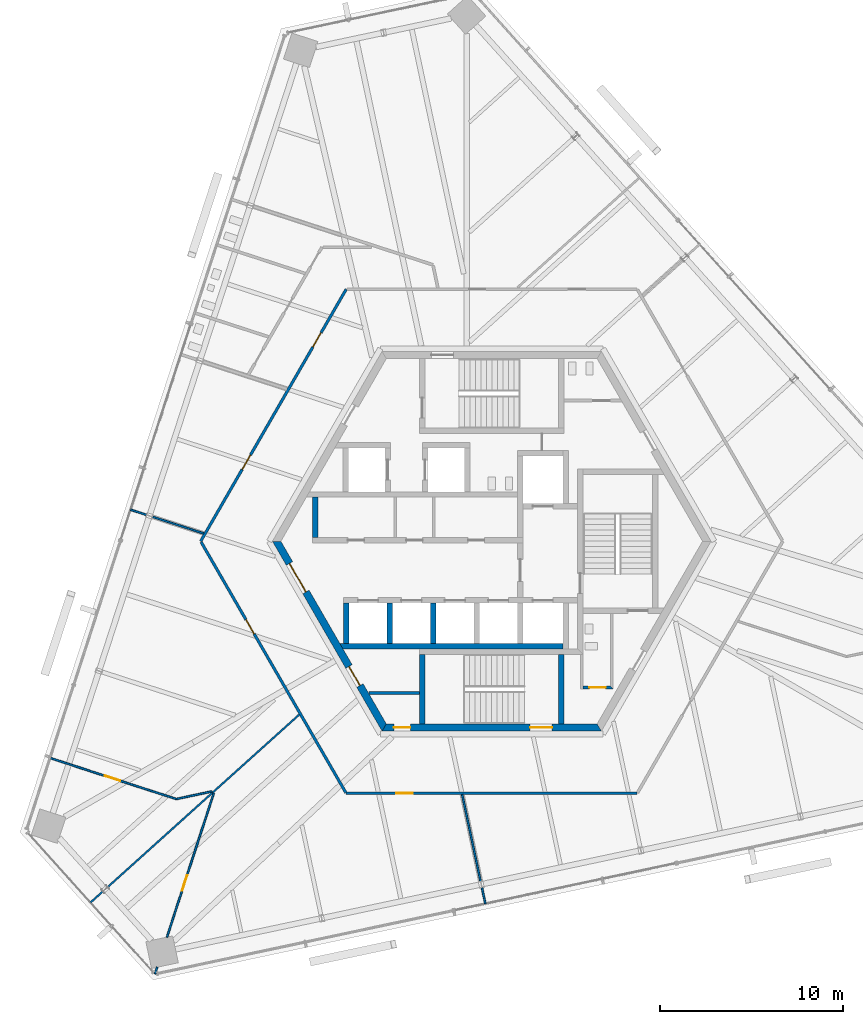
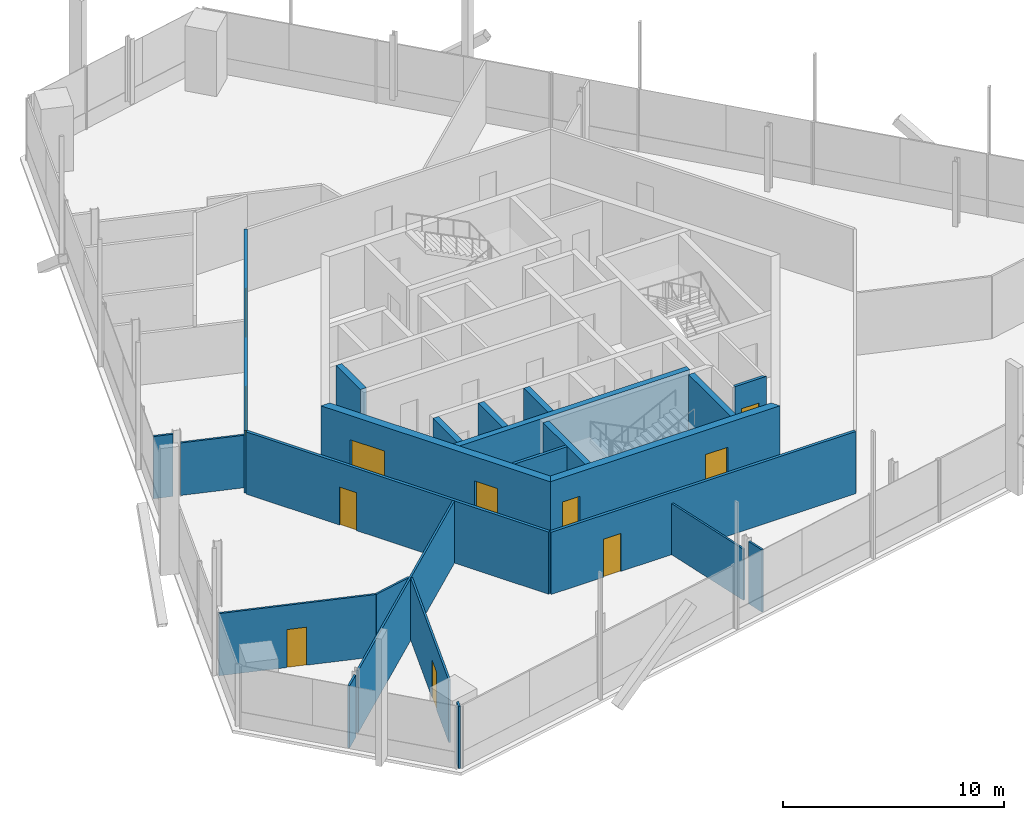
# One storey, part 9 of 16: 24 walls, 11 doors, 11 openings.
"""IFC4 building model written with IfcOpenShell, lengths in metres."""

from ifc_helpers import new_model, si_unit, direction, frame, frame_2d, origin, place, context, subcontext, project, spatial, polyline, rectangle, outline, extrude, source, transform, mapped, material, layer, layer_set, type_object, element, fill, save


model = new_model("IFC4")

# Units and contexts
model_context = context("Model", 3, precision=1e-05, world=origin(), true_north=direction((0.0, 1.0)))
body_context = subcontext(model_context, "Body", "Model", "MODEL_VIEW")
ifc_project = project(units=[si_unit("LENGTHUNIT", "METRE"), si_unit("AREAUNIT", "SQUARE_METRE"), si_unit("VOLUMEUNIT", "CUBIC_METRE"), si_unit("PLANEANGLEUNIT", "RADIAN"), si_unit("MASSUNIT", "GRAM", prefix="KILO")], contexts=[model_context])

# Site, building, storey
site_placement = place(None, origin())
site = spatial("IfcSite", under=ifc_project, at=site_placement, CompositionType="ELEMENT")
building_placement = place(site_placement, origin())
building = spatial("IfcBuilding", under=site, at=building_placement, Name="Triune Harvest Tower", CompositionType="ELEMENT")
storey_placement = place(building_placement, frame((0.0, 0.0, 266.699951171875)))
storey = spatial("IfcBuildingStorey", under=building, at=storey_placement, Name="L70", CompositionType="ELEMENT", Elevation=266.699951171875)

# Wall, opening, door
ifc_material_1 = material(Name="Gypsum board on steel studs", Category="steel")
ifc_layer_1 = layer(ifc_material_1, 0.10009765625)
ifc_layer_set_1 = layer_set([ifc_layer_1], Name="Gypsum board on steel studs")
wall_type_1 = type_object("IfcWallType", Name="Partition 100 mm", PredefinedType="PARTITIONING", material=ifc_layer_set_1)
wall_1_placement = place(storey_placement, frame((-24.177490234375, -11.85791015625, 0.0), z_axis=(0.0, 0.0, 1.0), x_axis=(0.951053312411, -0.309026854742, 0.0)))
wall_1 = element("IfcWall", 1, at=wall_1_placement, inside=storey, type_object=wall_type_1, Name="Partition L70 006", PredefinedType="PARTITIONING", context=body_context, shape_type="SweptSolid", body=[
    extrude(rectangle(XDim=7.271484375, YDim=0.10009765625, at=frame_2d((3.6357421875, 0.0))), origin(), (0.0, 0.0, 1.0), 3.43994140625),
])
opening_1_placement = place(wall_1_placement, frame((3.14990234375, 0.0, 0.0)))
opening_1 = element("IfcOpeningElement", 2, at=opening_1_placement, cuts=wall_1, Name="Opening L70-010", PredefinedType="OPENING", context=body_context, shape_type="SweptSolid", body=[
    extrude(rectangle(XDim=0.89990234375, YDim=2.10009765625, at=frame_2d((0.449951171875, 1.050048828125))), frame((0.0, 0.06005859375, 0.0), z_axis=(0.0, -1.0, 0.0), x_axis=(1.0, 0.0, 0.0)), (0.0, 0.0, 1.0), 0.1201171875),
])
ifc_material_2 = material(Name="Timber and steel door set", Category="steel")
door_type_1 = type_object("IfcDoorType", Name="Single leaf door right hand 900 x 2100", OperationType="SINGLE_SWING_RIGHT", PredefinedType="DOOR", material=ifc_material_2)
door_1_placement = place(opening_1_placement, origin())
door_1 = element("IfcDoor", 3, at=door_1_placement, inside=storey, type_object=door_type_1, Name="Door L70-010 Reception 70.10", OperationType="SINGLE_SWING_RIGHT", OverallHeight=2.10009765625, OverallWidth=0.89990234375, PredefinedType="DOOR", context=body_context, shape_type="SweptSolid", body=[
    extrude(rectangle(XDim=0.89990234375, YDim=2.10009765625, at=frame_2d((0.449951171875, 1.050048828125))), frame((0.0, 0.02490234375, 0.0), z_axis=(0.0, -1.0, 0.0), x_axis=(1.0, 0.0, 0.0)), (0.0, 0.0, 1.0), 0.050048828125),
])
fill(opening_1, door_1)

# Wall
wall_2_placement = place(storey_placement, frame((-17.261962890625, -14.10498046875, 0.0), z_axis=(0.0, 0.0, 1.0), x_axis=(0.97814455802, 0.207926005148, 0.0)))
element("IfcWall", 4, at=wall_2_placement, inside=storey, type_object=wall_type_1, Name="Partition L70 020", PredefinedType="PARTITIONING", context=body_context, shape_type="SweptSolid", body=[
    extrude(rectangle(XDim=1.997314453125, YDim=0.10009765625, at=frame_2d((0.99853515625, 0.0))), origin(), (0.0, 0.0, 1.0), 3.43994140625),
])

# Wall, openings, doors
ifc_material_3 = material(Name="Concrete 70 MPa", Category="concrete")
ifc_layer_2 = layer(ifc_material_3, 0.39990234375)
ifc_layer_set_2 = layer_set([ifc_layer_2], Name="Concrete 70 MPa")
wall_type_2 = type_object("IfcWallType", Name="Core wall 400", PredefinedType="SHEAR", material=ifc_layer_set_2)
shared_shape_1 = source(origin(), body_context, "Body", "SweptSolid", [
    extrude(outline(polyline([(-0.115478515625, -0.199951171875), (11.884521484375, -0.199951171875), (11.653564453125, 0.199951171875), (0.115478515625, 0.199951171875), (-0.115478515625, -0.199951171875)])), origin(), (0.0, 0.0, 1.0), 3.43994140625),
])
wall_3_placement = place(storey_placement, frame((-11.76904296875, 0.0, 0.0), z_axis=(0.0, 0.0, 1.0), x_axis=(0.499996592174, -0.866027371285, 0.0)))
wall_3 = element("IfcWall", 5, at=wall_3_placement, inside=storey, type_object=wall_type_2, Name="Hexagon 3 wall", PredefinedType="SHEAR", context=body_context, shape_type="MappedRepresentation", body=[
    mapped(shared_shape_1, transform((0.0, 0.0, 0.0), scale=1.0)),
])
opening_2_placement = place(wall_3_placement, frame((1.404541015625, 0.0, 0.0)))
opening_2 = element("IfcOpeningElement", 6, at=opening_2_placement, cuts=wall_3, Name="Opening CD-LS", PredefinedType="OPENING", context=body_context, shape_type="SweptSolid", body=[
    extrude(rectangle(XDim=1.800048828125, YDim=2.10009765625, at=frame_2d((0.89990234375, 1.050048828125))), frame((0.0, 0.2099609375, 0.0), z_axis=(0.0, -1.0, 0.0), x_axis=(1.0, 0.0, 0.0)), (0.0, 0.0, 1.0), 0.419921875),
])
opening_3_placement = place(wall_3_placement, frame((7.91455078125, 0.0, 0.0)))
opening_3 = element("IfcOpeningElement", 7, at=opening_3_placement, cuts=wall_3, Name="Opening CD-SWP", PredefinedType="OPENING", context=body_context, shape_type="SweptSolid", body=[
    extrude(rectangle(XDim=1.199951171875, YDim=2.10009765625, at=frame_2d((0.60009765625, 1.050048828125))), frame((0.0, 0.2099609375, 0.0), z_axis=(0.0, -1.0, 0.0), x_axis=(1.0, 0.0, 0.0)), (0.0, 0.0, 1.0), 0.419921875),
])
ifc_material_4 = material(Name="Steel S235", Category="steel")
door_type_2 = type_object("IfcDoorType", Name="Lobby door 1800 FD120", OperationType="DOUBLE_DOOR_DOUBLE_SWING", PredefinedType="DOOR", material=ifc_material_4)
door_2_placement = place(opening_2_placement, frame((1.800048828125, 0.0, 0.0), z_axis=(0.0, 0.0, 1.0), x_axis=(-1.0, 0.0, 0.0)))
door_2 = element("IfcDoor", 8, at=door_2_placement, inside=storey, type_object=door_type_2, Name="Door CD-LS", OperationType="DOUBLE_DOOR_DOUBLE_SWING", OverallHeight=2.10009765625, OverallWidth=1.800048828125, PredefinedType="DOOR", context=body_context, shape_type="SweptSolid", body=[
    extrude(rectangle(XDim=1.800048828125, YDim=2.10009765625, at=frame_2d((0.89990234375, 1.050048828125))), frame((0.0, 0.02490234375, 0.0), z_axis=(0.0, -1.0, 0.0), x_axis=(1.0, 0.0, 0.0)), (0.0, 0.0, 1.0), 0.050048828125),
])
fill(opening_2, door_2)
ifc_material_5 = material(Name="Steel S235", Category="steel")
door_type_3 = type_object("IfcDoorType", Name="Service door 1200 FD120", OperationType="SINGLE_SWING_LEFT", PredefinedType="DOOR", material=ifc_material_5)
door_3_placement = place(opening_3_placement, frame((1.199951171875, 0.0, 0.0), z_axis=(0.0, 0.0, 1.0), x_axis=(-1.0, 0.0, 0.0)))
door_3 = element("IfcDoor", 9, at=door_3_placement, inside=storey, type_object=door_type_3, Name="Door CD-SWP", OperationType="SINGLE_SWING_RIGHT", OverallHeight=2.10009765625, OverallWidth=1.199951171875, PredefinedType="DOOR", context=body_context, shape_type="SweptSolid", body=[
    extrude(rectangle(XDim=1.199951171875, YDim=2.10009765625, at=frame_2d((0.60009765625, 1.050048828125))), frame((0.0, 0.02490234375, 0.0), z_axis=(0.0, -1.0, 0.0), x_axis=(1.0, 0.0, 0.0)), (0.0, 0.0, 1.0), 0.050048828125),
])
fill(opening_3, door_3)

wall_4_placement = place(storey_placement, frame((-5.884521484375, -10.1923828125, 0.0), z_axis=(0.0, 0.0, 1.0), x_axis=(1.0, 0.0, 0.0)))
wall_4 = element("IfcWall", 10, at=wall_4_placement, inside=storey, type_object=wall_type_2, Name="Hexagon 4 wall", PredefinedType="SHEAR", context=body_context, shape_type="MappedRepresentation", body=[
    mapped(shared_shape_1, transform((0.0, 0.0, 0.0), scale=1.0)),
])
opening_4_placement = place(wall_4_placement, frame((7.984619140625, 0.0, 0.0)))
opening_4 = element("IfcOpeningElement", 11, at=opening_4_placement, cuts=wall_4, Name="Opening CD-S2P", PredefinedType="OPENING", context=body_context, shape_type="SweptSolid", body=[
    extrude(rectangle(XDim=1.199951171875, YDim=2.10009765625, at=frame_2d((0.60009765625, 1.050048828125))), frame((0.0, 0.2099609375, 0.0), z_axis=(0.0, -1.0, 0.0), x_axis=(1.0, 0.0, 0.0)), (0.0, 0.0, 1.0), 0.419921875),
])
opening_5_placement = place(wall_4_placement, frame((0.534423828125, 0.0, 0.0)))
opening_5 = element("IfcOpeningElement", 12, at=opening_5_placement, cuts=wall_4, Name="Opening CD-SWS", PredefinedType="OPENING", context=body_context, shape_type="SweptSolid", body=[
    extrude(rectangle(XDim=0.89990234375, YDim=2.10009765625, at=frame_2d((0.449951171875, 1.050048828125))), frame((0.0, 0.2099609375, 0.0), z_axis=(0.0, -1.0, 0.0), x_axis=(1.0, 0.0, 0.0)), (0.0, 0.0, 1.0), 0.419921875),
])
ifc_material_6 = material(Name="Steel S235", Category="steel")
door_type_4 = type_object("IfcDoorType", Name="Riser door 900 FD120", OperationType="SINGLE_SWING_LEFT", PredefinedType="DOOR", material=ifc_material_6)
door_4_placement = place(opening_5_placement, frame((0.89990234375, 0.0, 0.0), z_axis=(0.0, 0.0, 1.0), x_axis=(-1.0, 0.0, 0.0)))
door_4 = element("IfcDoor", 13, at=door_4_placement, inside=storey, type_object=door_type_4, Name="Door CD-SWS", OperationType="SINGLE_SWING_RIGHT", OverallHeight=2.10009765625, OverallWidth=0.89990234375, PredefinedType="DOOR", context=body_context, shape_type="SweptSolid", body=[
    extrude(rectangle(XDim=0.89990234375, YDim=2.10009765625, at=frame_2d((0.449951171875, 1.050048828125))), frame((0.0, 0.02490234375, 0.0), z_axis=(0.0, -1.0, 0.0), x_axis=(1.0, 0.0, 0.0)), (0.0, 0.0, 1.0), 0.050048828125),
])
fill(opening_5, door_4)
ifc_material_7 = material(Name="Steel S235", Category="steel")
door_type_5 = type_object("IfcDoorType", Name="Stair door 1200 FD120", OperationType="SINGLE_SWING_LEFT", PredefinedType="DOOR", material=ifc_material_7)
door_5_placement = place(opening_4_placement, frame((1.199951171875, 0.0, 0.0), z_axis=(0.0, 0.0, 1.0), x_axis=(-1.0, 0.0, 0.0)))
door_5 = element("IfcDoor", 14, at=door_5_placement, inside=storey, type_object=door_type_5, Name="Door CD-S2P", OperationType="SINGLE_SWING_RIGHT", OverallHeight=2.10009765625, OverallWidth=1.199951171875, PredefinedType="DOOR", context=body_context, shape_type="SweptSolid", body=[
    extrude(rectangle(XDim=1.199951171875, YDim=2.10009765625, at=frame_2d((0.60009765625, 1.050048828125))), frame((0.0, 0.02490234375, 0.0), z_axis=(0.0, -1.0, 0.0), x_axis=(1.0, 0.0, 0.0)), (0.0, 0.0, 1.0), 0.050048828125),
])
fill(opening_4, door_5)

# Walls
ifc_material_8 = material(Name="Concrete 70 MPa", Category="concrete")
ifc_layer_3 = layer(ifc_material_8, 0.300048828125)
ifc_layer_set_3 = layer_set([ifc_layer_3], Name="Concrete 70 MPa")
wall_type_3 = type_object("IfcWallType", Name="Core wall 300", PredefinedType="SHEAR", material=ifc_layer_set_3)
shared_shape_2 = source(origin(), body_context, "Body", "SweptSolid", [
    extrude(outline(polyline([(12.0, -0.14990234375), (-0.039794921875, -0.14990234375), (-0.212890625, 0.14990234375), (12.0, 0.14990234375), (12.0, -0.14990234375)])), origin(), (0.0, 0.0, 1.0), 3.43994140625),
])
wall_5_placement = place(storey_placement, frame((-8.10009765625, -5.739990234375, 0.0), z_axis=(0.0, 0.0, 1.0), x_axis=(1.0, 0.0, 0.0)))
element("IfcWall", 15, at=wall_5_placement, inside=storey, type_object=wall_type_3, Name="South back wall", PredefinedType="SHEAR", context=body_context, shape_type="MappedRepresentation", body=[
    mapped(shared_shape_2, transform((0.0, 0.0, 0.0), scale=1.0)),
])
shared_shape_3 = source(origin(), body_context, "Body", "SweptSolid", [
    extrude(rectangle(XDim=2.2001953125, YDim=0.300048828125, at=frame_2d((1.10009765625, 0.0))), origin(), (0.0, 0.0, 1.0), 3.43994140625),
])
for number, where, z_axis, x_axis, name in (
    (16, (-7.949951171875, -5.590087890625, 0.0), (0.0, 0.0, 1.0), (0.0, 1.0, 0.0), "South end west wall"),
    (17, (-5.574951171875, -5.590087890625, 0.0), (0.0, 0.0, 1.0), (0.0, 1.0, 0.0), "South cross 1 wall"),
    (18, (-3.199951171875, -5.590087890625, 0.0), (0.0, 0.0, 1.0), (0.0, 1.0, 0.0), "South cross 2 wall"),
):
    element("IfcWall", number, at=place(storey_placement, frame(where, z_axis=z_axis, x_axis=x_axis)), inside=storey, type_object=wall_type_3, Name=name, PredefinedType="SHEAR", context=body_context, shape_type="MappedRepresentation", body=[
        mapped(shared_shape_3, transform((0.0, 0.0, 0.0), scale=1.0)),
    ])
shared_shape_4 = source(origin(), body_context, "Body", "SweptSolid", [
    extrude(rectangle(XDim=2.199951171875, YDim=0.300048828125, at=frame_2d((1.10009765625, 0.0))), origin(), (0.0, 0.0, 1.0), 3.43994140625),
])
wall_6_placement = place(storey_placement, frame((-9.64990234375, 0.2099609375, 0.0), z_axis=(0.0, 0.0, 1.0), x_axis=(0.0, 1.0, 0.0)))
element("IfcWall", 19, at=wall_6_placement, inside=storey, type_object=wall_type_3, Name="North end west wall", PredefinedType="SHEAR", context=body_context, shape_type="MappedRepresentation", body=[
    mapped(shared_shape_4, transform((0.0, 0.0, 0.0), scale=1.0)),
])
shared_shape_5 = source(origin(), body_context, "Body", "SweptSolid", [
    extrude(outline(polyline([(3.800048828125, -0.14990234375), (-0.00439453125, -0.14990234375), (-0.00439453125, 0.14990234375), (3.800048828125, 0.14990234375), (3.800048828125, -0.14990234375)])), origin(), (0.0, 0.0, 1.0), 3.43994140625),
])
for number, where, z_axis, x_axis, name in (
    (20, (-3.800048828125, -9.989990234375, 0.0), (0.0, 0.0, 1.0), (0.0, 1.0, 0.0), "Stair s west wall"),
    (21, (3.800048828125, -9.989990234375, 0.0), (0.0, 0.0, 1.0), (0.0, 1.0, 0.0), "Stair s east wall"),
):
    element("IfcWall", number, at=place(storey_placement, frame(where, z_axis=z_axis, x_axis=x_axis)), inside=storey, type_object=wall_type_3, Name=name, PredefinedType="SHEAR", context=body_context, shape_type="MappedRepresentation", body=[
        mapped(shared_shape_5, transform((0.0, 0.0, 0.0), scale=1.0)),
    ])

# Wall, opening, door
ifc_material_9 = material(Name="Concrete masonry unit", Category="masonry")
ifc_layer_4 = layer(ifc_material_9, 0.14990234375)
ifc_layer_set_4 = layer_set([ifc_layer_4], Name="Concrete masonry unit")
wall_type_4 = type_object("IfcWallType", Name="Block partition 150 unrated", PredefinedType="PARTITIONING", material=ifc_layer_set_4)
shared_shape_6 = source(origin(), body_context, "Body", "SweptSolid", [
    extrude(outline(polyline([(0.0, -0.074951171875), (1.64990234375, -0.074951171875), (1.5, 0.074951171875), (0.0, 0.074951171875), (0.0, -0.074951171875)])), origin(), (0.0, 0.0, 1.0), 3.43994140625),
])
wall_7_placement = place(storey_placement, frame((5.0, -8.0, 0.0), z_axis=(0.0, 0.0, 1.0), x_axis=(1.0, 0.0, 0.0)))
wall_7 = element("IfcWall", 22, at=wall_7_placement, inside=storey, type_object=wall_type_4, Name="Wc acc south wall", PredefinedType="PARTITIONING", context=body_context, shape_type="MappedRepresentation", body=[
    mapped(shared_shape_6, transform((0.0, 0.0, 0.0), scale=1.0)),
])
opening_6_placement = place(wall_7_placement, frame((0.33740234375, 0.0, 0.0)))
opening_6 = element("IfcOpeningElement", 23, at=opening_6_placement, cuts=wall_7, Name="Opening CD-WA", PredefinedType="OPENING", context=body_context, shape_type="SweptSolid", body=[
    extrude(rectangle(XDim=0.89990234375, YDim=2.10009765625, at=frame_2d((0.449951171875, 1.050048828125))), frame((0.0, 0.0849609375, 0.0), z_axis=(0.0, -1.0, 0.0), x_axis=(1.0, 0.0, 0.0)), (0.0, 0.0, 1.0), 0.169921875),
])
ifc_material_10 = material(Name="Timber C24", Category="wood")
door_type_6 = type_object("IfcDoorType", Name="WC door 900", OperationType="SINGLE_SWING_LEFT", PredefinedType="DOOR", material=ifc_material_10)
door_6_placement = place(opening_6_placement, origin())
door_6 = element("IfcDoor", 24, at=door_6_placement, inside=storey, type_object=door_type_6, Name="Door CD-WA", OperationType="SINGLE_SWING_LEFT", OverallHeight=2.10009765625, OverallWidth=0.89990234375, PredefinedType="DOOR", context=body_context, shape_type="SweptSolid", body=[
    extrude(rectangle(XDim=0.89990234375, YDim=2.10009765625, at=frame_2d((0.449951171875, 1.050048828125))), frame((0.0, 0.02490234375, 0.0), z_axis=(0.0, -1.0, 0.0), x_axis=(1.0, 0.0, 0.0)), (0.0, 0.0, 1.0), 0.050048828125),
])
fill(opening_6, door_6)

# Walls
ifc_material_11 = material(Name="Concrete masonry unit", Category="masonry")
ifc_layer_5 = layer(ifc_material_11, 0.14990234375)
ifc_layer_set_5 = layer_set([ifc_layer_5], Name="Concrete masonry unit")
wall_type_5 = type_object("IfcWallType", Name="Block partition 150", PredefinedType="PARTITIONING", material=ifc_layer_set_5)
shared_shape_7 = source(origin(), body_context, "Body", "SweptSolid", [
    extrude(rectangle(XDim=2.777099609375, YDim=0.14990234375, at=frame_2d((1.388671875, 0.0))), origin(), (0.0, 0.0, 1.0), 3.43994140625),
])
wall_8_placement = place(storey_placement, frame((-6.72705078125, -8.300048828125, 0.0), z_axis=(0.0, 0.0, 1.0), x_axis=(1.0, 0.0, 0.0)))
element("IfcWall", 25, at=wall_8_placement, inside=storey, type_object=wall_type_5, Name="Sw part wall", PredefinedType="PARTITIONING", context=body_context, shape_type="MappedRepresentation", body=[
    mapped(shared_shape_7, transform((0.0, 0.0, 0.0), scale=1.0)),
])
shared_shape_8 = source(origin(), body_context, "Body", "SweptSolid", [
    extrude(rectangle(XDim=4.852294921875, YDim=0.10009765625, at=frame_2d((2.42626953125, 0.0))), origin(), (0.0, 0.0, 1.0), 2.827880859375),
])
wall_9_placement = place(storey_placement, frame((-1.617431640625, -13.86083984375, 0.0), z_axis=(0.0, 0.0, 1.0), x_axis=(0.207896665906, -0.978150794257, 0.0)))
element("IfcWall", 26, at=wall_9_placement, inside=storey, type_object=wall_type_1, Name="Partition L70 001", PredefinedType="PARTITIONING", context=body_context, shape_type="MappedRepresentation", body=[
    mapped(shared_shape_8, transform((0.0, 0.0, 0.0), scale=1.0)),
])
shared_shape_9 = source(origin(), body_context, "Body", "SweptSolid", [
    extrude(rectangle(XDim=0.91552734375, YDim=0.10009765625, at=frame_2d((0.457763671875, 0.0))), origin(), (0.0, 0.0, 1.0), 3.43994140625),
])
wall_10_placement = place(storey_placement, frame((-0.537841796875, -18.940185546875, 0.0), z_axis=(0.0, 0.0, 1.0), x_axis=(0.207743933161, -0.978183243689, 0.0)))
element("IfcWall", 27, at=wall_10_placement, inside=storey, type_object=wall_type_1, Name="Partition L70 002", PredefinedType="PARTITIONING", context=body_context, shape_type="MappedRepresentation", body=[
    mapped(shared_shape_9, transform((0.0, 0.0, 0.0), scale=1.0)),
])

# Wall, opening, door
ifc_material_12 = material(Name="Gypsum board on steel studs", Category="steel")
ifc_layer_6 = layer(ifc_material_12, 0.14990234375)
ifc_layer_set_6 = layer_set([ifc_layer_6], Name="Gypsum board on steel studs")
wall_type_6 = type_object("IfcWallType", Name="Fire Partition 150 mm", PredefinedType="PARTITIONING", material=ifc_layer_set_6)
shared_shape_10 = source(origin(), body_context, "Body", "SweptSolid", [
    extrude(rectangle(XDim=15.836181640625, YDim=0.14990234375, at=frame_2d((7.91796875, 0.0))), origin(), (0.0, 0.0, 1.0), 3.43994140625),
])
wall_11_placement = place(storey_placement, frame((-15.90087890625, -0.043212890625, 0.0), z_axis=(0.0, 0.0, 1.0), x_axis=(0.499992468509, -0.866029752049, 0.0)))
wall_11 = element("IfcWall", 28, at=wall_11_placement, inside=storey, type_object=wall_type_6, Name="Partition L70 004", PredefinedType="PARTITIONING", context=body_context, shape_type="MappedRepresentation", body=[
    mapped(shared_shape_10, transform((0.0, 0.0, 0.0), scale=1.0)),
])
opening_7_placement = place(wall_11_placement, frame((4.89990234375, 0.0, 0.0)))
opening_7 = element("IfcOpeningElement", 29, at=opening_7_placement, cuts=wall_11, Name="Opening L70-009", PredefinedType="OPENING", context=body_context, shape_type="SweptSolid", body=[
    extrude(rectangle(XDim=0.89990234375, YDim=2.10009765625, at=frame_2d((0.449951171875, 1.050048828125))), frame((0.0, 0.0849609375, 0.0), z_axis=(0.0, -1.0, 0.0), x_axis=(1.0, 0.0, 0.0)), (0.0, 0.0, 1.0), 0.169921875),
])
ifc_material_13 = material(Name="Timber and steel door set", Category="steel")
door_type_7 = type_object("IfcDoorType", Name="Single leaf door FD30 right hand 900 x 2100", OperationType="SINGLE_SWING_RIGHT", PredefinedType="DOOR", material=ifc_material_13)
door_7_placement = place(opening_7_placement, origin())
door_7 = element("IfcDoor", 30, at=door_7_placement, inside=storey, type_object=door_type_7, Name="Door L70-009 Office 70.09", OperationType="SINGLE_SWING_RIGHT", OverallHeight=2.10009765625, OverallWidth=0.89990234375, PredefinedType="DOOR", context=body_context, shape_type="SweptSolid", body=[
    extrude(rectangle(XDim=0.89990234375, YDim=2.10009765625, at=frame_2d((0.449951171875, 1.050048828125))), frame((0.0, 0.02490234375, 0.0), z_axis=(0.0, -1.0, 0.0), x_axis=(1.0, 0.0, 0.0)), (0.0, 0.0, 1.0), 0.050048828125),
])
fill(opening_7, door_7)

# Walls
shared_shape_11 = source(origin(), body_context, "Body", "SweptSolid", [
    extrude(rectangle(XDim=0.9150390625, YDim=0.10009765625, at=frame_2d((0.45751953125, 0.0))), origin(), (0.0, 0.0, 1.0), 3.43994140625),
])
wall_12_placement = place(storey_placement, frame((-19.76318359375, 1.727783203125, 0.0), z_axis=(0.0, 0.0, 1.0), x_axis=(0.95108307013, -0.308935258124, 0.0)))
element("IfcWall", 31, at=wall_12_placement, inside=storey, type_object=wall_type_1, Name="Partition L70 007", PredefinedType="PARTITIONING", context=body_context, shape_type="MappedRepresentation", body=[
    mapped(shared_shape_11, transform((0.0, 0.0, 0.0), scale=1.0)),
])
shared_shape_12 = source(origin(), body_context, "Body", "SweptSolid", [
    extrude(rectangle(XDim=2.95458984375, YDim=0.10009765625, at=frame_2d((1.477294921875, 0.0))), origin(), (0.0, 0.0, 1.0), 2.904052734375),
])
wall_13_placement = place(storey_placement, frame((-18.56884765625, 1.339599609375, 0.0), z_axis=(0.0, 0.0, 1.0), x_axis=(0.951052283617, -0.309030020915, 0.0)))
element("IfcWall", 32, at=wall_13_placement, inside=storey, type_object=wall_type_1, Name="Partition L70 008", PredefinedType="PARTITIONING", context=body_context, shape_type="MappedRepresentation", body=[
    mapped(shared_shape_12, transform((0.0, 0.0, 0.0), scale=1.0)),
])

# Wall, opening, door
shared_shape_13 = source(origin(), body_context, "Body", "SweptSolid", [
    extrude(rectangle(XDim=15.92578125, YDim=0.14990234375, at=frame_2d((7.962890625, 0.0))), origin(), (0.0, 0.0, 1.0), 3.43994140625),
])
wall_14_placement = place(storey_placement, frame((-7.962890625, -13.792236328125, 0.0), z_axis=(0.0, 0.0, 1.0), x_axis=(1.0, 0.0, 0.0)))
wall_14 = element("IfcWall", 33, at=wall_14_placement, inside=storey, type_object=wall_type_6, Name="Partition L70 017", PredefinedType="PARTITIONING", context=body_context, shape_type="MappedRepresentation", body=[
    mapped(shared_shape_13, transform((0.0, 0.0, 0.0), scale=1.0)),
])
opening_8_placement = place(wall_14_placement, frame((2.75, 0.0, 0.0)))
opening_8 = element("IfcOpeningElement", 34, at=opening_8_placement, cuts=wall_14, Name="Opening L70-012", PredefinedType="OPENING", context=body_context, shape_type="SweptSolid", body=[
    extrude(rectangle(XDim=0.89990234375, YDim=2.10009765625, at=frame_2d((0.449951171875, 1.050048828125))), frame((0.0, 0.0849609375, 0.0), z_axis=(0.0, -1.0, 0.0), x_axis=(1.0, 0.0, 0.0)), (0.0, 0.0, 1.0), 0.169921875),
])
door_8_placement = place(opening_8_placement, origin())
door_8 = element("IfcDoor", 35, at=door_8_placement, inside=storey, type_object=door_type_7, Name="Door L70-012 Pantry 70.12", OperationType="SINGLE_SWING_RIGHT", OverallHeight=2.10009765625, OverallWidth=0.89990234375, PredefinedType="DOOR", context=body_context, shape_type="SweptSolid", body=[
    extrude(rectangle(XDim=0.89990234375, YDim=2.10009765625, at=frame_2d((0.449951171875, 1.050048828125))), frame((0.0, 0.02490234375, 0.0), z_axis=(0.0, -1.0, 0.0), x_axis=(1.0, 0.0, 0.0)), (0.0, 0.0, 1.0), 0.050048828125),
])
fill(opening_8, door_8)

# Walls
shared_shape_14 = source(origin(), body_context, "Body", "SweptSolid", [
    extrude(rectangle(XDim=0.915283203125, YDim=0.10009765625, at=frame_2d((0.45751953125, 0.0))), origin(), (0.0, 0.0, 1.0), 3.43994140625),
])
wall_15_placement = place(storey_placement, frame((-21.950927734375, -19.76416015625, 0.0), z_axis=(0.0, 0.0, 1.0), x_axis=(0.743081911728, 0.669200472551, 0.0)))
element("IfcWall", 36, at=wall_15_placement, inside=storey, type_object=wall_type_1, Name="Partition L70 022", PredefinedType="PARTITIONING", context=body_context, shape_type="MappedRepresentation", body=[
    mapped(shared_shape_14, transform((0.0, 0.0, 0.0), scale=1.0)),
])
shared_shape_15 = source(origin(), body_context, "Body", "SweptSolid", [
    extrude(rectangle(XDim=14.111328125, YDim=0.10009765625, at=frame_2d((7.0556640625, 0.0))), origin(), (0.0, 0.0, 1.0), 3.43994140625),
])
wall_16_placement = place(storey_placement, frame((-21.017578125, -18.923583984375, 0.0), z_axis=(0.0, 0.0, 1.0), x_axis=(0.743169393242, 0.669103320085, 0.0)))
element("IfcWall", 37, at=wall_16_placement, inside=storey, type_object=wall_type_1, Name="Partition L70 023", PredefinedType="PARTITIONING", context=body_context, shape_type="MappedRepresentation", body=[
    mapped(shared_shape_15, transform((0.0, 0.0, 0.0), scale=1.0)),
])

# Wall, openings, doors
shared_shape_16 = source(origin(), body_context, "Body", "SweptSolid", [
    extrude(rectangle(XDim=15.92626953125, YDim=0.14990234375, at=frame_2d((7.963134765625, 0.0))), origin(), (0.0, 0.0, 1.0), 3.43994140625),
])
wall_17_placement = place(storey_placement, frame((-15.92626953125, -0.000244140625, 0.0), z_axis=(0.0, 0.0, 1.0), x_axis=(0.500013496215, 0.866017611601, 0.0)))
wall_17 = element("IfcWall", 38, at=wall_17_placement, inside=storey, type_object=wall_type_6, Name="Partition L70 028", PredefinedType="PARTITIONING", context=body_context, shape_type="MappedRepresentation", body=[
    mapped(shared_shape_16, transform((0.0, 0.0, 0.0), scale=1.0)),
])
opening_9_placement = place(wall_17_placement, frame((12.2763671875, 0.0, 0.0)))
opening_9 = element("IfcOpeningElement", 39, at=opening_9_placement, cuts=wall_17, Name="Opening L70-004", PredefinedType="OPENING", context=body_context, shape_type="SweptSolid", body=[
    extrude(rectangle(XDim=0.89990234375, YDim=2.10009765625, at=frame_2d((0.449951171875, 1.050048828125))), frame((0.0, 0.0849609375, 0.0), z_axis=(0.0, -1.0, 0.0), x_axis=(1.0, 0.0, 0.0)), (0.0, 0.0, 1.0), 0.169921875),
])
opening_10_placement = place(wall_17_placement, frame((4.54541015625, 0.0, 0.0)))
opening_10 = element("IfcOpeningElement", 40, at=opening_10_placement, cuts=wall_17, Name="Opening L70-008", PredefinedType="OPENING", context=body_context, shape_type="SweptSolid", body=[
    extrude(rectangle(XDim=0.89990234375, YDim=2.10009765625, at=frame_2d((0.449951171875, 1.050048828125))), frame((0.0, 0.0849609375, 0.0), z_axis=(0.0, -1.0, 0.0), x_axis=(1.0, 0.0, 0.0)), (0.0, 0.0, 1.0), 0.169921875),
])
ifc_material_14 = material(Name="Timber and steel door set", Category="steel")
door_type_8 = type_object("IfcDoorType", Name="Single leaf door FD30 left hand 900 x 2100", OperationType="SINGLE_SWING_LEFT", PredefinedType="DOOR", material=ifc_material_14)
door_9_placement = place(opening_10_placement, origin())
door_9 = element("IfcDoor", 41, at=door_9_placement, inside=storey, type_object=door_type_8, Name="Door L70-008 Office 70.08", OperationType="SINGLE_SWING_LEFT", OverallHeight=2.10009765625, OverallWidth=0.89990234375, PredefinedType="DOOR", context=body_context, shape_type="SweptSolid", body=[
    extrude(rectangle(XDim=0.89990234375, YDim=2.10009765625, at=frame_2d((0.449951171875, 1.050048828125))), frame((0.0, 0.02490234375, 0.0), z_axis=(0.0, -1.0, 0.0), x_axis=(1.0, 0.0, 0.0)), (0.0, 0.0, 1.0), 0.050048828125),
])
fill(opening_10, door_9)
door_10_placement = place(opening_9_placement, origin())
door_10 = element("IfcDoor", 42, at=door_10_placement, inside=storey, type_object=door_type_7, Name="Door L70-004 WC lobby 70.04", OperationType="SINGLE_SWING_RIGHT", OverallHeight=2.10009765625, OverallWidth=0.89990234375, PredefinedType="DOOR", context=body_context, shape_type="SweptSolid", body=[
    extrude(rectangle(XDim=0.89990234375, YDim=2.10009765625, at=frame_2d((0.449951171875, 1.050048828125))), frame((0.0, 0.02490234375, 0.0), z_axis=(0.0, -1.0, 0.0), x_axis=(1.0, 0.0, 0.0)), (0.0, 0.0, 1.0), 0.050048828125),
])
fill(opening_9, door_10)

# Wall
shared_shape_17 = source(origin(), body_context, "Body", "SweptSolid", [
    extrude(rectangle(XDim=0.399169921875, YDim=0.10009765625, at=frame_2d((0.19970703125, 0.0))), origin(), (0.0, 0.0, 1.0), 3.43994140625),
])
wall_18_placement = place(storey_placement, frame((-18.426513671875, -23.678466796875, 0.0), z_axis=(0.0, 0.0, 1.0), x_axis=(0.308878611909, 0.951101468354, 0.0)))
element("IfcWall", 43, at=wall_18_placement, inside=storey, type_object=wall_type_1, Name="Partition L70 030", PredefinedType="PARTITIONING", context=body_context, shape_type="MappedRepresentation", body=[
    mapped(shared_shape_17, transform((0.0, 0.0, 0.0), scale=1.0)),
])

# Wall, opening, door
shared_shape_18 = source(origin(), body_context, "Body", "SweptSolid", [
    extrude(rectangle(XDim=8.28564453125, YDim=0.10009765625, at=frame_2d((4.142822265625, 0.0))), origin(), (0.0, 0.0, 1.0), 3.43994140625),
])
wall_19_placement = place(storey_placement, frame((-17.775146484375, -21.673583984375, 0.0), z_axis=(0.0, 0.0, 1.0), x_axis=(0.309032104862, 0.951051606468, 0.0)))
wall_19 = element("IfcWall", 44, at=wall_19_placement, inside=storey, type_object=wall_type_1, Name="Partition L70 031", PredefinedType="PARTITIONING", context=body_context, shape_type="MappedRepresentation", body=[
    mapped(shared_shape_18, transform((0.0, 0.0, 0.0), scale=1.0)),
])
opening_11_placement = place(wall_19_placement, frame((2.675537109375, 0.0, 0.0)))
opening_11 = element("IfcOpeningElement", 45, at=opening_11_placement, cuts=wall_19, Name="Opening L70-011", PredefinedType="OPENING", context=body_context, shape_type="SweptSolid", body=[
    extrude(rectangle(XDim=0.89990234375, YDim=2.10009765625, at=frame_2d((0.449951171875, 1.050048828125))), frame((0.0, 0.06005859375, 0.0), z_axis=(0.0, -1.0, 0.0), x_axis=(1.0, 0.0, 0.0)), (0.0, 0.0, 1.0), 0.1201171875),
])
ifc_material_15 = material(Name="Timber and steel door set", Category="steel")
door_type_9 = type_object("IfcDoorType", Name="Single leaf door left hand 900 x 2100", OperationType="SINGLE_SWING_LEFT", PredefinedType="DOOR", material=ifc_material_15)
door_11_placement = place(opening_11_placement, origin())
door_11 = element("IfcDoor", 46, at=door_11_placement, inside=storey, type_object=door_type_9, Name="Door L70-011 Board Room 70.11", OperationType="SINGLE_SWING_LEFT", OverallHeight=2.10009765625, OverallWidth=0.89990234375, PredefinedType="DOOR", context=body_context, shape_type="SweptSolid", body=[
    extrude(rectangle(XDim=0.89990234375, YDim=2.10009765625, at=frame_2d((0.449951171875, 1.050048828125))), frame((0.0, 0.02490234375, 0.0), z_axis=(0.0, -1.0, 0.0), x_axis=(1.0, 0.0, 0.0)), (0.0, 0.0, 1.0), 0.050048828125),
])
fill(opening_11, door_11)

save(model, "model.ifc")
